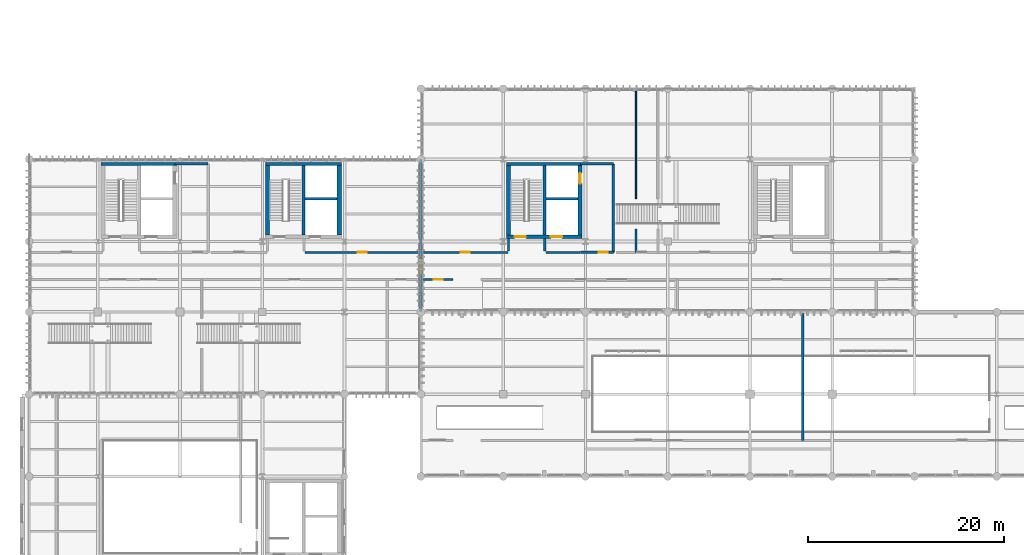
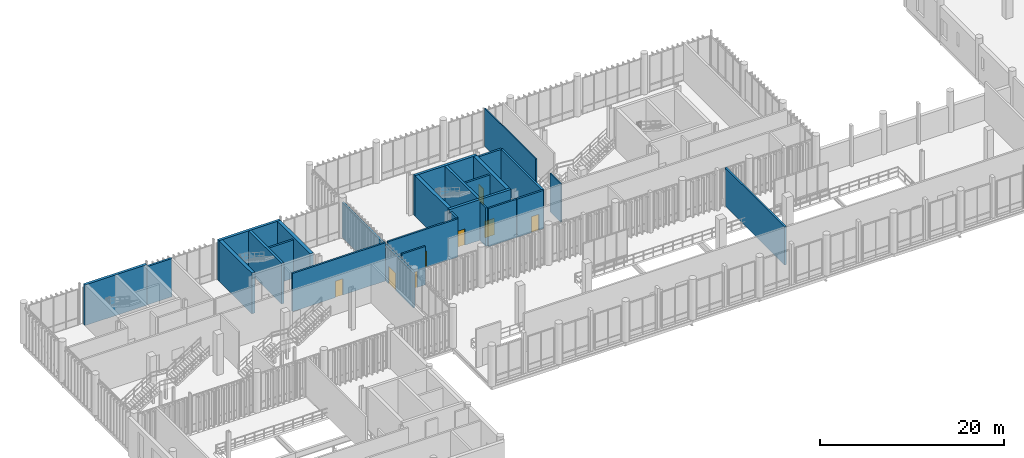
# One storey, part 106 of 128: 26 walls, 8 doors, 8 openings.
"""IFC4 building model written with IfcOpenShell, lengths in metres."""

import ifcopenshell
import ifcopenshell.guid

model = None  # the IFC model being written
_history = None  # IfcOwnerHistory: only IFC2X3 demands one
_inside = {}  # id of a spatial element -> (the spatial element, [elements in it])
_under = {}  # id of a project, library or spatial element -> (it, [spatial elements below it])
_declared = {}  # id of a project -> (the project, [libraries it declares])
_typed = {}  # id of a type object -> (the type object, [elements of that type])
_made_of = {}  # id of a material, layer set ... -> (it, [elements and type objects made of it])


def new_model(schema):
    """Start an empty IFC model of exactly this schema.

    Asked for "IFC4X3", IfcOpenShell would pick the latest addendum, in which some entities
    have other attributes; the version numbers below select the first issue.
    IFC2X3 requires an IfcOwnerHistory on every rooted entity: one is made here for all.
    """
    global model, _history
    if schema == "IFC4X3":
        model = ifcopenshell.file(schema_version=(4, 3, 0, 0))
    else:
        model = ifcopenshell.file(schema=schema)
    _inside.clear()
    _under.clear()
    _declared.clear()
    _typed.clear()
    _made_of.clear()
    _history = None
    if model.schema == "IFC2X3":
        org = make("IfcOrganization", Name="unknown")
        user = make(
            "IfcPersonAndOrganization",
            ThePerson=make("IfcPerson", FamilyName="unknown"),
            TheOrganization=org,
        )
        app = make(
            "IfcApplication",
            ApplicationDeveloper=org,
            Version="unknown",
            ApplicationFullName="unknown",
            ApplicationIdentifier="unknown",
        )
        _history = make(
            "IfcOwnerHistory",
            OwningUser=user,
            OwningApplication=app,
            ChangeAction="ADDED",
            CreationDate=0,
        )
    return model


def make(cls, **values):
    """One entity of the class cls with the attributes given. An attribute that is None is left unset."""
    return model.create_entity(
        cls, **{name: value for name, value in values.items() if value is not None}
    )


def rooted(cls, **values):
    """An entity with a GlobalId (a new one), such as an element, a storey or a relation."""
    return make(cls, GlobalId=ifcopenshell.guid.new(), OwnerHistory=_history, **values)


def si_unit(unit_type, name, prefix=None):
    """IfcSIUnit, for example si_unit("LENGTHUNIT", "METRE", prefix="MILLI")."""
    return make("IfcSIUnit", UnitType=unit_type, Prefix=prefix, Name=name)


def assignment(units):
    """IfcUnitAssignment: the units of a project."""
    return None if units is None else make("IfcUnitAssignment", Units=units)


def point(xyz):
    """IfcCartesianPoint."""
    return None if xyz is None else make("IfcCartesianPoint", Coordinates=xyz)


def direction(xyz):
    """IfcDirection."""
    return None if xyz is None else make("IfcDirection", DirectionRatios=xyz)


def frame(location, z_axis=None, x_axis=None):
    """IfcAxis2Placement3D, a coordinate frame: its origin and axes. An axis left out is left unset."""
    return make(
        "IfcAxis2Placement3D",
        Location=point(location),
        Axis=direction(z_axis),
        RefDirection=direction(x_axis),
    )


def frame_2d(location, x_axis=None):
    """IfcAxis2Placement2D, a coordinate frame in the plane: its origin and x axis."""
    return make(
        "IfcAxis2Placement2D", Location=point(location), RefDirection=direction(x_axis)
    )


def origin_with_axes():
    """The frame at (0, 0, 0) with the z axis (0, 0, 1) and the x axis (1, 0, 0) written out."""
    return frame((0.0, 0.0, 0.0), z_axis=(0.0, 0.0, 1.0), x_axis=(1.0, 0.0, 0.0))


def place(relative_to, where):
    """IfcLocalPlacement: puts the frame where relative to a parent placement (None: the world)."""
    return make(
        "IfcLocalPlacement", PlacementRelTo=relative_to, RelativePlacement=where
    )


def context(
    kind, dimensions, precision=None, world=None, true_north=None, identifier=None
):
    """IfcGeometricRepresentationContext, for example the 3D "Model" context."""
    return make(
        "IfcGeometricRepresentationContext",
        ContextIdentifier=identifier,
        ContextType=kind,
        CoordinateSpaceDimension=dimensions,
        Precision=precision,
        WorldCoordinateSystem=world,
        TrueNorth=true_north,
    )


def subcontext(parent, identifier, kind, view, scale=None):
    """IfcGeometricRepresentationSubContext, for example "Body" below "Model"."""
    return make(
        "IfcGeometricRepresentationSubContext",
        ContextIdentifier=identifier,
        ContextType=kind,
        ParentContext=parent,
        TargetScale=scale,
        TargetView=view,
    )


def project(units=None, contexts=None):
    """IfcProject with its units and contexts."""
    return rooted(
        "IfcProject",
        Name="project",
        RepresentationContexts=contexts,
        UnitsInContext=assignment(units),
    )


def spatial(cls, under=None, at=None, **own):
    """A site, building, storey or space (cls), placed at a placement, below another one or the project."""
    s = rooted(cls, ObjectPlacement=at, **own)
    if under is not None:
        _under.setdefault(under.id(), (under, []))[1].append(s)
    return s


def profile(cls, at=None, kind="AREA", **sizes):
    """A parametric profile (cls). Its sizes go by their IFC names, for example OverallWidth=200.0."""
    return make(cls, ProfileType=kind, Position=at, **sizes)


def rectangle(**sizes):
    """IfcRectangleProfileDef."""
    return profile("IfcRectangleProfileDef", **sizes)


def extrude(swept, where, along, depth):
    """IfcExtrudedAreaSolid: the profile swept, set in the frame where, extruded along a direction by depth."""
    return make(
        "IfcExtrudedAreaSolid",
        SweptArea=swept,
        Position=where,
        ExtrudedDirection=direction(along),
        Depth=depth,
    )


def shape(context_of_items, identifier, shape_type, items):
    """IfcShapeRepresentation: the items that make up one representation, for example the "Body"."""
    return make(
        "IfcShapeRepresentation",
        ContextOfItems=context_of_items,
        RepresentationIdentifier=identifier,
        RepresentationType=shape_type,
        Items=items,
    )


def material(Name=None, Category=None):
    """IfcMaterial."""
    return make("IfcMaterial", Name=Name, Category=Category)


def layer(
    of_material, thickness, ventilated=None, Name=None, Category=None, Priority=None
):
    """IfcMaterialLayer: one layer of a wall or slab, of a material (None: an air gap)."""
    return make(
        "IfcMaterialLayer",
        Material=of_material,
        LayerThickness=thickness,
        IsVentilated=ventilated,
        Name=Name,
        Category=Category,
        Priority=Priority,
    )


def layer_set(layers, Name=None):
    """IfcMaterialLayerSet."""
    return make("IfcMaterialLayerSet", MaterialLayers=layers, LayerSetName=Name)


def made_of(thing, what):
    """Note that an element or type object is made of a material, layer set ...; save() writes the relation."""
    if what is not None:
        _made_of.setdefault(what.id(), (what, []))[1].append(thing)
    return thing


def type_object(cls, material=None, **own):
    """A type object (cls), such as IfcWallType, which elements share."""
    return made_of(rooted(cls, **own), material)


def element(
    cls,
    number,
    at=None,
    inside=None,
    cuts=None,
    type_object=None,
    material=None,
    context=None,
    identifier="Body",
    shape_type=None,
    held_by="IfcProductDefinitionShape",
    body=None,
    shapes=None,
    **own,
):
    """One element of the class cls, such as IfcWall. Its Tag is "e" and its number.

    at: its placement. inside: the storey or other place that contains it. cuts: it is an
    opening in that element (IfcRelVoidsElement). A single representation is given by context,
    identifier, shape_type and body (its items); several are given by shapes. held_by: the class
    of the entity that holds the representations. save() writes the other relations.
    """
    e = rooted(cls, Tag="e%d" % number, ObjectPlacement=at, **own)
    if body is not None:
        shapes = [shape(context, identifier, shape_type, body)]
    if shapes is not None:
        e.Representation = make(held_by, Representations=shapes)
    if inside is not None:
        _inside.setdefault(inside.id(), (inside, []))[1].append(e)
    if cuts is not None:
        rooted(
            "IfcRelVoidsElement", RelatingBuildingElement=cuts, RelatedOpeningElement=e
        )
    if type_object is not None:
        _typed.setdefault(type_object.id(), (type_object, []))[1].append(e)
    return made_of(e, material)


def fill(opening, filler):
    """IfcRelFillsElement: the door or window that sits in an opening."""
    return rooted(
        "IfcRelFillsElement",
        RelatingOpeningElement=opening,
        RelatedBuildingElement=filler,
    )


def aggregate(whole, parts):
    """IfcRelAggregates: a whole, such as a stair, and the parts it consists of."""
    return rooted("IfcRelAggregates", RelatingObject=whole, RelatedObjects=parts)


def save(model, path):
    """Write the relations noted so far, then the file.

    IfcRelAggregates (storeys below a building ...), IfcRelContainedInSpatialStructure (elements
    in a storey), IfcRelDefinesByType, IfcRelAssociatesMaterial and IfcRelDeclares: one each for
    every whole, place, type object, material and project.
    """
    for whole, parts in _under.values():
        aggregate(whole, parts)
    for where, things in _inside.values():
        rooted(
            "IfcRelContainedInSpatialStructure",
            RelatedElements=things,
            RelatingStructure=where,
        )
    for kind, things in _typed.values():
        rooted("IfcRelDefinesByType", RelatedObjects=things, RelatingType=kind)
    for what, things in _made_of.values():
        rooted("IfcRelAssociatesMaterial", RelatedObjects=things, RelatingMaterial=what)
    for by, libraries in _declared.values():
        rooted("IfcRelDeclares", RelatingContext=by, RelatedDefinitions=libraries)
    model.write(path)


model = new_model("IFC4")

# Units and contexts
model_context = context("Model", 3, precision=1e-05, world=origin_with_axes(), true_north=direction((0.0, 1.0)))
body_context = subcontext(model_context, "Body", "Model", "MODEL_VIEW")
ifc_project = project(units=[si_unit("LENGTHUNIT", "METRE"), si_unit("AREAUNIT", "SQUARE_METRE"), si_unit("VOLUMEUNIT", "CUBIC_METRE"), si_unit("PLANEANGLEUNIT", "RADIAN"), si_unit("MASSUNIT", "GRAM", prefix="KILO"), si_unit("THERMODYNAMICTEMPERATUREUNIT", "KELVIN")], contexts=[model_context])

# Site, building, storey
site_placement = place(None, origin_with_axes())
site = spatial("IfcSite", under=ifc_project, at=site_placement, CompositionType="ELEMENT")
building_placement = place(site_placement, origin_with_axes())
building = spatial("IfcBuilding", under=site, at=building_placement, Name="Montbau Bow Law Courts", CompositionType="ELEMENT")
storey_placement = place(building_placement, frame((0.0, 0.0, 5.4), z_axis=(0.0, 0.0, 1.0), x_axis=(1.0, 0.0, 0.0)))
storey = spatial("IfcBuildingStorey", under=building, at=storey_placement, Name="L01", CompositionType="ELEMENT", Elevation=5.4)

# Walls
ifc_material_1 = material(Name="Concrete CSA A23.1 f'c 45 MPa", Category="concrete")
ifc_layer_1 = layer(ifc_material_1, 0.42, Name="Shear Wall", Category="concrete")
ifc_layer_set_1 = layer_set([ifc_layer_1], Name="Concrete CSA A23.1 f'c 45 MPa")
wall_type_1 = type_object("IfcWallType", Name="W-COR-03", PredefinedType="SHEAR", material=ifc_layer_set_1)
for number, where, z_axis, x_axis, name in (
    (1, (38.46, 46.84, 5.4), (0.0, 0.0, 1.0), (0.0, 1.0, 0.0), "WC-L01-0096:wal_0163"),
    (2, (31.14, 53.96, 5.4), (0.0, 0.0, 1.0), (0.0, -1.0, 0.0), "WC-L01-0097:wal_0164"),
):
    element("IfcWall", number, at=place(None, frame(where, z_axis=z_axis, x_axis=x_axis)), inside=storey, type_object=wall_type_1, Name=name, PredefinedType="SHEAR", context=body_context, shape_type="SweptSolid", body=[
        extrude(rectangle(XDim=7.119999999999997, YDim=0.42, at=frame_2d((3.56, 0.0), x_axis=(1.0, 0.0))), origin_with_axes(), (0.0, 0.0, 1.0), 5.4),
    ])

# Wall, opening, door
wall_1_placement = place(None, frame((63.06, 46.84, 5.4), z_axis=(0.0, 0.0, 1.0), x_axis=(0.0, 1.0, 0.0)))
wall_1 = element("IfcWall", 3, at=wall_1_placement, inside=storey, type_object=wall_type_1, Name="WC-L01-0153:wal_0220", PredefinedType="SHEAR", context=body_context, shape_type="SweptSolid", body=[
    extrude(rectangle(XDim=7.119999999999997, YDim=0.42, at=frame_2d((3.56, 0.0), x_axis=(1.0, 0.0))), origin_with_axes(), (0.0, 0.0, 1.0), 5.4),
])
opening_1_placement = place(None, frame((63.06, 52.64, 5.4), z_axis=(0.0, 0.0, 1.0), x_axis=(0.0, 1.0, 0.0)))
opening_1 = element("IfcOpeningElement", 4, at=opening_1_placement, cuts=wall_1, Name="OP-LD-L01-EL-J3", PredefinedType="OPENING", context=body_context, shape_type="SweptSolid", body=[
    extrude(rectangle(XDim=1.06, YDim=2.16, at=frame_2d((0.0, 1.08), x_axis=(1.0, 0.0))), frame((0.0, 0.22, 0.0), z_axis=(0.0, -1.0, 0.0), x_axis=(1.0, 0.0, 0.0)), (0.0, 0.0, 1.0), 0.44),
])
ifc_material_2 = material(Name="Bronze-Clad Judicial Elevator Landing Door", Category="steel")
door_type_1 = type_object("IfcDoorType", Name="LD-JUD-01", OperationType="NOTDEFINED", ParameterTakesPrecedence=False, PredefinedType="DOOR", material=ifc_material_2)
door_1_placement = place(None, frame((63.06, 52.64, 5.4), z_axis=(0.0, 0.0, 1.0), x_axis=(0.0, 1.0, 0.0)))
door_1 = element("IfcDoor", 5, at=door_1_placement, inside=storey, type_object=door_type_1, Name="LD-L01-EL-J3:dor_0099", OperationType="SLIDING_TO_LEFT", OverallHeight=2.16, OverallWidth=1.06, PredefinedType="DOOR", context=body_context, shape_type="SweptSolid", body=[
    extrude(rectangle(XDim=1.06, YDim=2.16, at=frame_2d((0.0, 1.08), x_axis=(1.0, 0.0))), frame((0.0, 0.04, 0.0), z_axis=(0.0, -1.0, 0.0), x_axis=(1.0, 0.0, 0.0)), (0.0, 0.0, 1.0), 0.08),
])
fill(opening_1, door_1)

# Walls
wall_2_placement = place(None, frame((55.74, 53.96, 5.4), z_axis=(0.0, 0.0, 1.0), x_axis=(0.0, -1.0, 0.0)))
element("IfcWall", 6, at=wall_2_placement, inside=storey, type_object=wall_type_1, Name="WC-L01-0154:wal_0221", PredefinedType="SHEAR", context=body_context, shape_type="SweptSolid", body=[
    extrude(rectangle(XDim=7.119999999999997, YDim=0.42, at=frame_2d((3.56, 0.0), x_axis=(1.0, 0.0))), origin_with_axes(), (0.0, 0.0, 1.0), 5.4),
])
ifc_layer_2 = layer(ifc_material_1, 0.32, Name="Shear Wall", Category="concrete")
ifc_layer_set_2 = layer_set([ifc_layer_2], Name="Concrete CSA A23.1 f'c 45 MPa")
wall_type_2 = type_object("IfcWallType", Name="W-COR-05", PredefinedType="SHEAR", material=ifc_layer_set_2)
wall_3_placement = place(None, frame((21.87, 54.12, 5.4), z_axis=(0.0, 0.0, 1.0), x_axis=(-1.0, 0.0, 0.0)))
element("IfcWall", 7, at=wall_3_placement, inside=storey, type_object=wall_type_2, Name="WC-L01-0020:wal_0087", PredefinedType="SHEAR", context=body_context, shape_type="SweptSolid", body=[
    extrude(rectangle(XDim=7.74, YDim=0.32, at=frame_2d((3.87, 0.0), x_axis=(1.0, 0.0))), origin_with_axes(), (0.0, 0.0, 1.0), 5.4),
])
wall_4_placement = place(None, frame((38.67, 54.12, 5.4), z_axis=(0.0, 0.0, 1.0), x_axis=(-1.0, 0.0, 0.0)))
element("IfcWall", 8, at=wall_4_placement, inside=storey, type_object=wall_type_2, Name="WC-L01-0095:wal_0162", PredefinedType="SHEAR", context=body_context, shape_type="SweptSolid", body=[
    extrude(rectangle(XDim=7.740000000000002, YDim=0.32, at=frame_2d((3.87, 0.0), x_axis=(1.0, 0.0))), origin_with_axes(), (0.0, 0.0, 1.0), 5.4),
])
wall_5_placement = place(None, frame((34.82, 46.84, 5.4), z_axis=(0.0, 0.0, 1.0), x_axis=(0.0, 1.0, 0.0)))
element("IfcWall", 9, at=wall_5_placement, inside=storey, type_object=wall_type_2, Name="WS-L01-0098:wal_0165", PredefinedType="SHEAR", context=body_context, shape_type="SweptSolid", body=[
    extrude(rectangle(XDim=7.119999999999997, YDim=0.32, at=frame_2d((3.56, 0.0), x_axis=(1.0, 0.0))), origin_with_axes(), (0.0, 0.0, 1.0), 5.4),
])

# Wall, openings, doors
wall_6_placement = place(None, frame((55.53, 46.68, 5.4), z_axis=(0.0, 0.0, 1.0), x_axis=(1.0, 0.0, 0.0)))
wall_6 = element("IfcWall", 10, at=wall_6_placement, inside=storey, type_object=wall_type_2, Name="WC-L01-0151:wal_0218", PredefinedType="SHEAR", context=body_context, shape_type="SweptSolid", body=[
    extrude(rectangle(XDim=7.740000000000002, YDim=0.32, at=frame_2d((3.87, 0.0), x_axis=(1.0, 0.0))), origin_with_axes(), (0.0, 0.0, 1.0), 5.4),
])
opening_2_placement = place(None, frame((56.95, 46.68, 5.4), z_axis=(0.0, 0.0, 1.0), x_axis=(1.0, 0.0, 0.0)))
opening_2 = element("IfcOpeningElement", 11, at=opening_2_placement, cuts=wall_6, Name="OP-D-L01-ST-P4", PredefinedType="OPENING", context=body_context, shape_type="SweptSolid", body=[
    extrude(rectangle(XDim=1.14, YDim=2.18, at=frame_2d((0.0, 1.09), x_axis=(1.0, 0.0))), frame((0.0, 0.17, 0.0), z_axis=(0.0, -1.0, 0.0), x_axis=(1.0, 0.0, 0.0)), (0.0, 0.0, 1.0), 0.34),
])
opening_3_placement = place(None, frame((60.65, 46.68, 5.4), z_axis=(0.0, 0.0, 1.0), x_axis=(1.0, 0.0, 0.0)))
opening_3 = element("IfcOpeningElement", 12, at=opening_3_placement, cuts=wall_6, Name="OP-LD-L01-EL-P3", PredefinedType="OPENING", context=body_context, shape_type="SweptSolid", body=[
    extrude(rectangle(XDim=1.16, YDim=2.2, at=frame_2d((0.0, 1.1), x_axis=(1.0, 0.0))), frame((0.0, 0.17, 0.0), z_axis=(0.0, -1.0, 0.0), x_axis=(1.0, 0.0, 0.0)), (0.0, 0.0, 1.0), 0.34),
])
ifc_material_3 = material(Name="1.5 h Fire-Rated Hollow-Metal Exit Stair Door", Category="steel")
door_type_2 = type_object("IfcDoorType", Name="D-ST-01", OperationType="NOTDEFINED", ParameterTakesPrecedence=False, PredefinedType="DOOR", material=ifc_material_3)
door_2_placement = place(None, frame((56.95, 46.68, 5.4), z_axis=(0.0, 0.0, 1.0), x_axis=(-1.0, 0.0, 0.0)))
door_2 = element("IfcDoor", 13, at=door_2_placement, inside=storey, type_object=door_type_2, Name="D-L01-ST-P4:dor_0097", OperationType="SINGLE_SWING_RIGHT", OverallHeight=2.18, OverallWidth=1.14, PredefinedType="DOOR", context=body_context, shape_type="SweptSolid", body=[
    extrude(rectangle(XDim=1.14, YDim=2.18, at=frame_2d((0.0, 1.09), x_axis=(1.0, 0.0))), frame((0.0, 0.04, 0.0), z_axis=(0.0, -1.0, 0.0), x_axis=(1.0, 0.0, 0.0)), (0.0, 0.0, 1.0), 0.08),
])
fill(opening_2, door_2)
ifc_material_4 = material(Name="Brushed Stainless Steel Elevator Landing Door", Category="steel")
door_type_3 = type_object("IfcDoorType", Name="LD-PUB-01", OperationType="NOTDEFINED", ParameterTakesPrecedence=False, PredefinedType="DOOR", material=ifc_material_4)
door_3_placement = place(None, frame((60.65, 46.68, 5.4), z_axis=(0.0, 0.0, 1.0), x_axis=(-1.0, 0.0, 0.0)))
door_3 = element("IfcDoor", 14, at=door_3_placement, inside=storey, type_object=door_type_3, Name="LD-L01-EL-P3:dor_0098", OperationType="SLIDING_TO_LEFT", OverallHeight=2.2, OverallWidth=1.16, PredefinedType="DOOR", context=body_context, shape_type="SweptSolid", body=[
    extrude(rectangle(XDim=1.16, YDim=2.2, at=frame_2d((0.0, 1.1), x_axis=(1.0, 0.0))), frame((0.0, 0.04, 0.0), z_axis=(0.0, -1.0, 0.0), x_axis=(1.0, 0.0, 0.0)), (0.0, 0.0, 1.0), 0.08),
])
fill(opening_3, door_3)

# Walls
wall_7_placement = place(None, frame((63.27, 54.12, 5.4), z_axis=(0.0, 0.0, 1.0), x_axis=(-1.0, 0.0, 0.0)))
element("IfcWall", 15, at=wall_7_placement, inside=storey, type_object=wall_type_2, Name="WC-L01-0152:wal_0219", PredefinedType="SHEAR", context=body_context, shape_type="SweptSolid", body=[
    extrude(rectangle(XDim=7.740000000000002, YDim=0.32, at=frame_2d((3.87, 0.0), x_axis=(1.0, 0.0))), origin_with_axes(), (0.0, 0.0, 1.0), 5.4),
])
wall_8_placement = place(None, frame((59.42, 46.84, 5.4), z_axis=(0.0, 0.0, 1.0), x_axis=(0.0, 1.0, 0.0)))
element("IfcWall", 16, at=wall_8_placement, inside=storey, type_object=wall_type_2, Name="WS-L01-0155:wal_0222", PredefinedType="SHEAR", context=body_context, shape_type="SweptSolid", body=[
    extrude(rectangle(XDim=7.119999999999997, YDim=0.32, at=frame_2d((3.56, 0.0), x_axis=(1.0, 0.0))), origin_with_axes(), (0.0, 0.0, 1.0), 5.4),
])
ifc_material_5 = material(Name="2 h Shaft and Exit-Passage Fire Separation Partition", Category="gypsum")
ifc_layer_3 = layer(ifc_material_5, 0.25, Name="Partition", Category="gypsum")
ifc_layer_set_3 = layer_set([ifc_layer_3], Name="2 h Shaft and Exit-Passage Fire Separation Partition")
wall_type_3 = type_object("IfcWallType", Name="W-PRT-01", PredefinedType="PARTITIONING", material=ifc_layer_set_3)
wall_9_placement = place(None, frame((21.7, 54.12, 5.4), z_axis=(0.0, 0.0, 1.0), x_axis=(1.0, 0.0, 0.0)))
element("IfcWall", 17, at=wall_9_placement, inside=storey, type_object=wall_type_3, Name="WEL-L01-0026:wal_0093", PredefinedType="PARTITIONING", context=body_context, shape_type="SweptSolid", body=[
    extrude(rectangle(XDim=3.3599999999999994, YDim=0.25, at=frame_2d((1.68, 0.0), x_axis=(1.0, 0.0))), origin_with_axes(), (0.0, 0.0, 1.0), 5.08),
])
for number, where, z_axis, x_axis, name in (
    (18, (34.98, 50.549, 5.4), (0.0, 0.0, 1.0), (1.0, 0.0, 0.0), "WS-L01-0099:wal_0166"),
    (19, (59.58, 50.549, 5.4), (0.0, 0.0, 1.0), (1.0, 0.0, 0.0), "WS-L01-0156:wal_0223"),
):
    element("IfcWall", number, at=place(None, frame(where, z_axis=z_axis, x_axis=x_axis)), inside=storey, type_object=wall_type_3, Name=name, PredefinedType="PARTITIONING", context=body_context, shape_type="SweptSolid", body=[
        extrude(rectangle(XDim=3.270000000000003, YDim=0.25, at=frame_2d((1.635, 0.0), x_axis=(1.0, 0.0))), origin_with_axes(), (0.0, 0.0, 1.0), 5.08),
    ])
wall_10_placement = place(None, frame((66.46, 45.09, 5.4), z_axis=(0.0, 0.0, 1.0), x_axis=(0.0, 1.0, 0.0)))
element("IfcWall", 20, at=wall_10_placement, inside=storey, type_object=wall_type_3, Name="WEL-L01-0157:wal_0224", PredefinedType="PARTITIONING", context=body_context, shape_type="SweptSolid", body=[
    extrude(rectangle(XDim=9.029999999999994, YDim=0.25, at=frame_2d((4.515, 0.0), x_axis=(1.0, 0.0))), origin_with_axes(), (0.0, 0.0, 1.0), 5.08),
])
wall_11_placement = place(None, frame((63.1, 54.12, 5.4), z_axis=(0.0, 0.0, 1.0), x_axis=(1.0, 0.0, 0.0)))
element("IfcWall", 21, at=wall_11_placement, inside=storey, type_object=wall_type_3, Name="WEL-L01-0158:wal_0225", PredefinedType="PARTITIONING", context=body_context, shape_type="SweptSolid", body=[
    extrude(rectangle(XDim=3.3599999999999923, YDim=0.25, at=frame_2d((1.68, 0.0), x_axis=(1.0, 0.0))), origin_with_axes(), (0.0, 0.0, 1.0), 5.08),
])

# Wall, opening, door
wall_12_placement = place(None, frame((63.1, 45.09, 5.4), z_axis=(0.0, 0.0, 1.0), x_axis=(1.0, 0.0, 0.0)))
wall_12 = element("IfcWall", 22, at=wall_12_placement, inside=storey, type_object=wall_type_3, Name="WEL-L01-0159:wal_0226", PredefinedType="PARTITIONING", context=body_context, shape_type="SweptSolid", body=[
    extrude(rectangle(XDim=3.3599999999999923, YDim=0.25, at=frame_2d((1.68, 0.0), x_axis=(1.0, 0.0))), origin_with_axes(), (0.0, 0.0, 1.0), 5.08),
])
opening_4_placement = place(None, frame((65.405, 45.09, 5.4), z_axis=(0.0, 0.0, 1.0), x_axis=(1.0, 0.0, 0.0)))
opening_4 = element("IfcOpeningElement", 23, at=opening_4_placement, cuts=wall_12, Name="OP-D-L01-ELB-CORE-C1", PredefinedType="OPENING", context=body_context, shape_type="SweptSolid", body=[
    extrude(rectangle(XDim=0.91, YDim=2.12, at=frame_2d((0.0, 1.06), x_axis=(1.0, 0.0))), frame((0.0, 0.135, 0.0), z_axis=(0.0, -1.0, 0.0), x_axis=(1.0, 0.0, 0.0)), (0.0, 0.0, 1.0), 0.27),
])
ifc_material_6 = material(Name="Public and Judicial Washroom Solid-Core Door", Category="wood")
door_type_4 = type_object("IfcDoorType", Name="D-WC-02", OperationType="NOTDEFINED", ParameterTakesPrecedence=False, PredefinedType="DOOR", material=ifc_material_6)
door_4_placement = place(None, frame((65.405, 45.09, 5.4), z_axis=(0.0, 0.0, 1.0), x_axis=(1.0, 0.0, 0.0)))
door_4 = element("IfcDoor", 24, at=door_4_placement, inside=storey, type_object=door_type_4, Name="D-L01-ELB-CORE-C1:dor_0100", OperationType="SINGLE_SWING_LEFT", OverallHeight=2.12, OverallWidth=0.91, PredefinedType="DOOR", context=body_context, shape_type="SweptSolid", body=[
    extrude(rectangle(XDim=0.91, YDim=2.12, at=frame_2d((0.0, 1.06), x_axis=(1.0, 0.0))), frame((0.0, 0.04, 0.0), z_axis=(0.0, -1.0, 0.0), x_axis=(1.0, 0.0, 0.0)), (0.0, 0.0, 1.0), 0.08),
])
fill(opening_4, door_4)

wall_13_placement = place(None, frame((46.8, 39.05, 5.4), z_axis=(0.0, 0.0, 1.0), x_axis=(0.0, 1.0, 0.0)))
wall_13 = element("IfcWall", 25, at=wall_13_placement, inside=storey, type_object=wall_type_3, Name="WLK-L01-0558:wal_0625", PredefinedType="PARTITIONING", context=body_context, shape_type="SweptSolid", body=[
    extrude(rectangle(XDim=15.5, YDim=0.25, at=frame_2d((7.75, 0.0), x_axis=(1.0, 0.0))), origin_with_axes(), (0.0, 0.0, 1.0), 4.644),
])
opening_5_placement = place(None, frame((46.8, 43.63, 5.4), z_axis=(0.0, 0.0, 1.0), x_axis=(0.0, 1.0, 0.0)))
opening_5 = element("IfcOpeningElement", 26, at=opening_5_placement, cuts=wall_13, Name="OP-D-LNK-207", PredefinedType="OPENING", context=body_context, shape_type="SweptSolid", body=[
    extrude(rectangle(XDim=1.56, YDim=2.28, at=frame_2d((0.0, 1.14), x_axis=(1.0, 0.0))), frame((0.0, 0.135, 0.0), z_axis=(0.0, -1.0, 0.0), x_axis=(1.0, 0.0, 0.0)), (0.0, 0.0, 1.0), 0.27),
])
ifc_material_7 = material(Name="Case Registry Counter Suite Double Door", Category="wood")
door_type_5 = type_object("IfcDoorType", Name="D-REG-01", OperationType="NOTDEFINED", ParameterTakesPrecedence=False, PredefinedType="DOOR", material=ifc_material_7)
door_5_placement = place(None, frame((46.8, 43.63, 5.4), z_axis=(0.0, 0.0, 1.0), x_axis=(0.0, 1.0, 0.0)))
door_5 = element("IfcDoor", 27, at=door_5_placement, inside=storey, type_object=door_type_5, Name="D-LNK-207:dor_0241", OperationType="DOUBLE_DOOR_SINGLE_SWING", OverallHeight=2.28, OverallWidth=1.56, PredefinedType="DOOR", context=body_context, shape_type="SweptSolid", body=[
    extrude(rectangle(XDim=1.56, YDim=2.28, at=frame_2d((0.0, 1.14), x_axis=(1.0, 0.0))), frame((0.0, 0.04, 0.0), z_axis=(0.0, -1.0, 0.0), x_axis=(1.0, 0.0, 0.0)), (0.0, 0.0, 1.0), 0.08),
])
fill(opening_5, door_5)

ifc_material_8 = material(Name="STC-60 High-Acoustic Courtroom Perimeter Partition", Category="gypsum")
ifc_layer_4 = layer(ifc_material_8, 0.22, Name="Partition", Category="gypsum")
ifc_layer_set_4 = layer_set([ifc_layer_4], Name="STC-60 High-Acoustic Courtroom Perimeter Partition")
wall_type_4 = type_object("IfcWallType", Name="W-PRT-02", PredefinedType="PARTITIONING", material=ifc_layer_set_4)
wall_14_placement = place(None, frame((34.95, 45.09, 5.4), z_axis=(0.0, 0.0, 1.0), x_axis=(1.0, 0.0, 0.0)))
wall_14 = element("IfcWall", 28, at=wall_14_placement, inside=storey, type_object=wall_type_4, Name="WP-L01-0686:wal_0753", PredefinedType="PARTITIONING", context=body_context, shape_type="SweptSolid", body=[
    extrude(rectangle(XDim=11.709999999999994, YDim=0.22, at=frame_2d((5.855, 0.0), x_axis=(1.0, 0.0))), origin_with_axes(), (0.0, 0.0, 1.0), 5.08),
])
opening_6_placement = place(None, frame((40.805, 45.09, 5.4), z_axis=(0.0, 0.0, 1.0), x_axis=(1.0, 0.0, 0.0)))
opening_6 = element("IfcOpeningElement", 29, at=opening_6_placement, cuts=wall_14, Name="OP-D-L01-274", PredefinedType="OPENING", context=body_context, shape_type="SweptSolid", body=[
    extrude(rectangle(XDim=0.95, YDim=2.16, at=frame_2d((0.0, 1.08), x_axis=(1.0, 0.0))), frame((0.0, 0.12, 0.0), z_axis=(0.0, -1.0, 0.0), x_axis=(1.0, 0.0, 0.0)), (0.0, 0.0, 1.0), 0.24),
])
ifc_material_9 = material(Name="Mediation and Witness Waiting Acoustic Oak Door", Category="wood")
door_type_6 = type_object("IfcDoorType", Name="D-MED-01", OperationType="NOTDEFINED", ParameterTakesPrecedence=False, PredefinedType="DOOR", material=ifc_material_9)
door_6_placement = place(None, frame((40.805, 45.09, 5.4), z_axis=(0.0, 0.0, 1.0), x_axis=(-1.0, 0.0, 0.0)))
door_6 = element("IfcDoor", 30, at=door_6_placement, inside=storey, type_object=door_type_6, Name="D-L01-274:dor_0309", OperationType="SINGLE_SWING_RIGHT", OverallHeight=2.16, OverallWidth=0.95, PredefinedType="DOOR", context=body_context, shape_type="SweptSolid", body=[
    extrude(rectangle(XDim=0.95, YDim=2.16, at=frame_2d((0.0, 1.08), x_axis=(1.0, 0.0))), frame((0.0, 0.04, 0.0), z_axis=(0.0, -1.0, 0.0), x_axis=(1.0, 0.0, 0.0)), (0.0, 0.0, 1.0), 0.08),
])
fill(opening_6, door_6)

# Walls
for number, where, z_axis, x_axis, name in (
    (31, (55.74, 45.22, 5.4), (0.0, 0.0, 1.0), (0.0, 1.0, 0.0), "WCX-L01-0691:wal_0758"),
    (32, (59.45, 45.22, 5.4), (0.0, 0.0, 1.0), (0.0, 1.0, 0.0), "WCX-L01-0692:wal_0759"),
):
    element("IfcWall", number, at=place(None, frame(where, z_axis=z_axis, x_axis=x_axis)), inside=storey, type_object=wall_type_4, Name=name, PredefinedType="PARTITIONING", context=body_context, shape_type="SweptSolid", body=[
        extrude(rectangle(XDim=1.259999999999998, YDim=0.22, at=frame_2d((0.63, 0.0), x_axis=(1.0, 0.0))), origin_with_axes(), (0.0, 0.0, 1.0), 5.08),
    ])

# Wall, opening, door
wall_15_placement = place(None, frame((46.94, 45.09, 5.4), z_axis=(0.0, 0.0, 1.0), x_axis=(1.0, 0.0, 0.0)))
wall_15 = element("IfcWall", 33, at=wall_15_placement, inside=storey, type_object=wall_type_4, Name="WP-L01-0695:wal_0762", PredefinedType="PARTITIONING", context=body_context, shape_type="SweptSolid", body=[
    extrude(rectangle(XDim=8.760000000000005, YDim=0.22, at=frame_2d((4.38, 0.0), x_axis=(1.0, 0.0))), origin_with_axes(), (0.0, 0.0, 1.0), 5.08),
])
opening_7_placement = place(None, frame((51.32, 45.09, 5.4), z_axis=(0.0, 0.0, 1.0), x_axis=(1.0, 0.0, 0.0)))
opening_7 = element("IfcOpeningElement", 34, at=opening_7_placement, cuts=wall_15, Name="OP-D-L01-278", PredefinedType="OPENING", context=body_context, shape_type="SweptSolid", body=[
    extrude(rectangle(XDim=0.95, YDim=2.16, at=frame_2d((0.0, 1.08), x_axis=(1.0, 0.0))), frame((0.0, 0.12, 0.0), z_axis=(0.0, -1.0, 0.0), x_axis=(1.0, 0.0, 0.0)), (0.0, 0.0, 1.0), 0.24),
])
door_7_placement = place(None, frame((51.32, 45.09, 5.4), z_axis=(0.0, 0.0, 1.0), x_axis=(-1.0, 0.0, 0.0)))
door_7 = element("IfcDoor", 35, at=door_7_placement, inside=storey, type_object=door_type_6, Name="D-L01-278:dor_0313", OperationType="SINGLE_SWING_LEFT", OverallHeight=2.16, OverallWidth=0.95, PredefinedType="DOOR", context=body_context, shape_type="SweptSolid", body=[
    extrude(rectangle(XDim=0.95, YDim=2.16, at=frame_2d((0.0, 1.08), x_axis=(1.0, 0.0))), frame((0.0, 0.04, 0.0), z_axis=(0.0, -1.0, 0.0), x_axis=(1.0, 0.0, 0.0)), (0.0, 0.0, 1.0), 0.08),
])
fill(opening_7, door_7)

# Wall
wall_16_placement = place(None, frame((59.55, 45.09, 5.4), z_axis=(0.0, 0.0, 1.0), x_axis=(1.0, 0.0, 0.0)))
element("IfcWall", 36, at=wall_16_placement, inside=storey, type_object=wall_type_4, Name="WP-L01-0696:wal_0763", PredefinedType="PARTITIONING", context=body_context, shape_type="SweptSolid", body=[
    extrude(rectangle(XDim=3.510000000000005, YDim=0.22, at=frame_2d((1.755, 0.0), x_axis=(1.0, 0.0))), origin_with_axes(), (0.0, 0.0, 1.0), 5.08),
])

# Wall, opening, door
wall_17_placement = place(None, frame((47.08, 42.31, 5.4), z_axis=(0.0, 0.0, 1.0), x_axis=(1.0, 0.0, 0.0)))
wall_17 = element("IfcWall", 37, at=wall_17_placement, inside=storey, type_object=wall_type_4, Name="WP-L01-0699:wal_0766", PredefinedType="PARTITIONING", context=body_context, shape_type="SweptSolid", body=[
    extrude(rectangle(XDim=2.969999999999999, YDim=0.22, at=frame_2d((1.485, 0.0), x_axis=(1.0, 0.0))), origin_with_axes(), (0.0, 0.0, 1.0), 5.08),
])
opening_8_placement = place(None, frame((48.565, 42.31, 5.4), z_axis=(0.0, 0.0, 1.0), x_axis=(1.0, 0.0, 0.0)))
opening_8 = element("IfcOpeningElement", 38, at=opening_8_placement, cuts=wall_17, Name="OP-D-L01-282", PredefinedType="OPENING", context=body_context, shape_type="SweptSolid", body=[
    extrude(rectangle(XDim=0.92, YDim=2.14, at=frame_2d((0.0, 1.07), x_axis=(1.0, 0.0))), frame((0.0, 0.12, 0.0), z_axis=(0.0, -1.0, 0.0), x_axis=(1.0, 0.0, 0.0)), (0.0, 0.0, 1.0), 0.24),
])
ifc_material_10 = material(Name="Judicial Law Clerk and Registry Office Oak Door", Category="wood")
door_type_7 = type_object("IfcDoorType", Name="D-OFF-01", OperationType="NOTDEFINED", ParameterTakesPrecedence=False, PredefinedType="DOOR", material=ifc_material_10)
door_8_placement = place(None, frame((48.565, 42.31, 5.4), z_axis=(0.0, 0.0, 1.0), x_axis=(1.0, 0.0, 0.0)))
door_8 = element("IfcDoor", 39, at=door_8_placement, inside=storey, type_object=door_type_7, Name="D-L01-282:dor_0317", OperationType="SINGLE_SWING_LEFT", OverallHeight=2.14, OverallWidth=0.92, PredefinedType="DOOR", context=body_context, shape_type="SweptSolid", body=[
    extrude(rectangle(XDim=0.92, YDim=2.14, at=frame_2d((0.0, 1.07), x_axis=(1.0, 0.0))), frame((0.0, 0.04, 0.0), z_axis=(0.0, -1.0, 0.0), x_axis=(1.0, 0.0, 0.0)), (0.0, 0.0, 1.0), 0.08),
])
fill(opening_8, door_8)

# Walls
wall_18_placement = place(None, frame((85.791, 25.89, 5.4), z_axis=(0.0, 0.0, 1.0), x_axis=(0.0, 1.0, 0.0)))
element("IfcWall", 40, at=wall_18_placement, inside=storey, type_object=wall_type_4, Name="WD-L01-0711:wal_0778", PredefinedType="PARTITIONING", context=body_context, shape_type="SweptSolid", body=[
    extrude(rectangle(XDim=12.969999999999999, YDim=0.22, at=frame_2d((6.485, 0.0), x_axis=(1.0, 0.0))), origin_with_axes(), (0.0, 0.0, 1.0), 5.08),
])
ifc_material_11 = material(Name="STC-52 Judicial Chambers Acoustic Partition", Category="gypsum")
ifc_layer_5 = layer(ifc_material_11, 0.16, Name="Partition", Category="gypsum")
ifc_layer_set_5 = layer_set([ifc_layer_5], Name="STC-52 Judicial Chambers Acoustic Partition")
wall_type_5 = type_object("IfcWallType", Name="W-PRT-05", PredefinedType="PARTITIONING", material=ifc_layer_set_5)
wall_19_placement = place(None, frame((68.761, 45.09, 5.4), z_axis=(0.0, 0.0, 1.0), x_axis=(0.0, 1.0, 0.0)))
element("IfcWall", 41, at=wall_19_placement, inside=storey, type_object=wall_type_5, Name="WD-L01-0703:wal_0770", PredefinedType="PARTITIONING", context=body_context, shape_type="SweptSolid", body=[
    extrude(rectangle(XDim=2.3599999999999994, YDim=0.16, at=frame_2d((1.18, 0.0), x_axis=(1.0, 0.0))), origin_with_axes(), (0.0, 0.0, 1.0), 5.08),
])
ifc_material_12 = material(Name="1 h Registry Office Steel-Stud Fire Partition", Category="gypsum")
ifc_layer_6 = layer(ifc_material_12, 0.14, Name="Partition", Category="gypsum")
ifc_layer_set_6 = layer_set([ifc_layer_6], Name="1 h Registry Office Steel-Stud Fire Partition")
wall_type_6 = type_object("IfcWallType", Name="W-PRT-06", PredefinedType="PARTITIONING", material=ifc_layer_set_6)
wall_20_placement = place(None, frame((68.761, 50.55, 5.4), z_axis=(0.0, 0.0, 1.0), x_axis=(0.0, 1.0, 0.0)))
element("IfcWall", 42, at=wall_20_placement, inside=storey, type_object=wall_type_6, Name="WD-L01-0704:wal_0771", PredefinedType="PARTITIONING", context=body_context, shape_type="SweptSolid", body=[
    extrude(rectangle(XDim=11.11, YDim=0.14, at=frame_2d((5.555, 0.0), x_axis=(1.0, 0.0))), origin_with_axes(), (0.0, 0.0, 1.0), 5.08),
])

save(model, "model.ifc")
